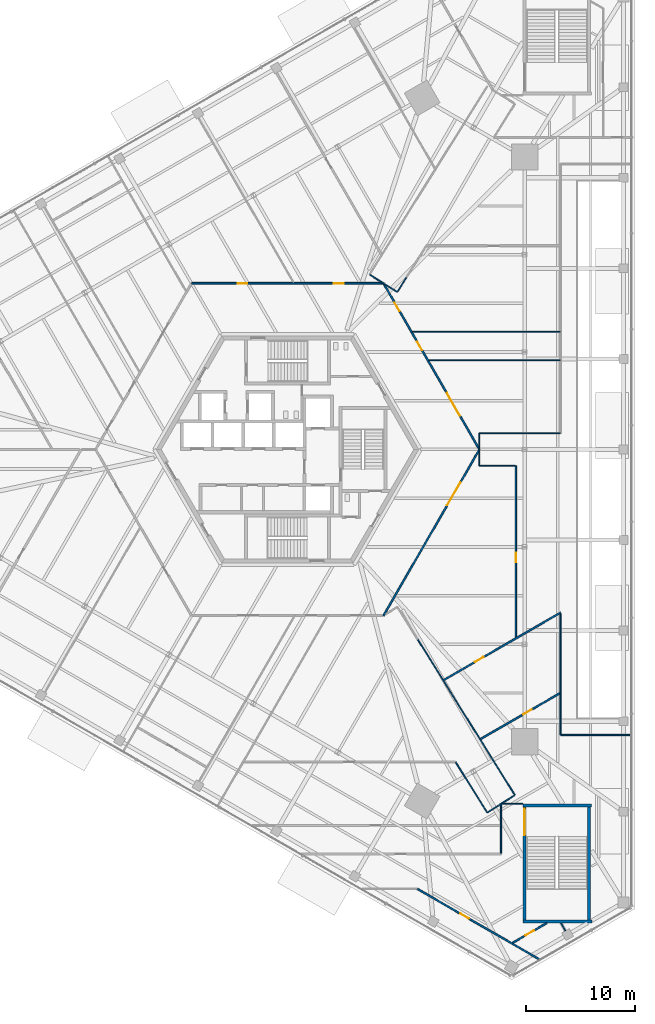
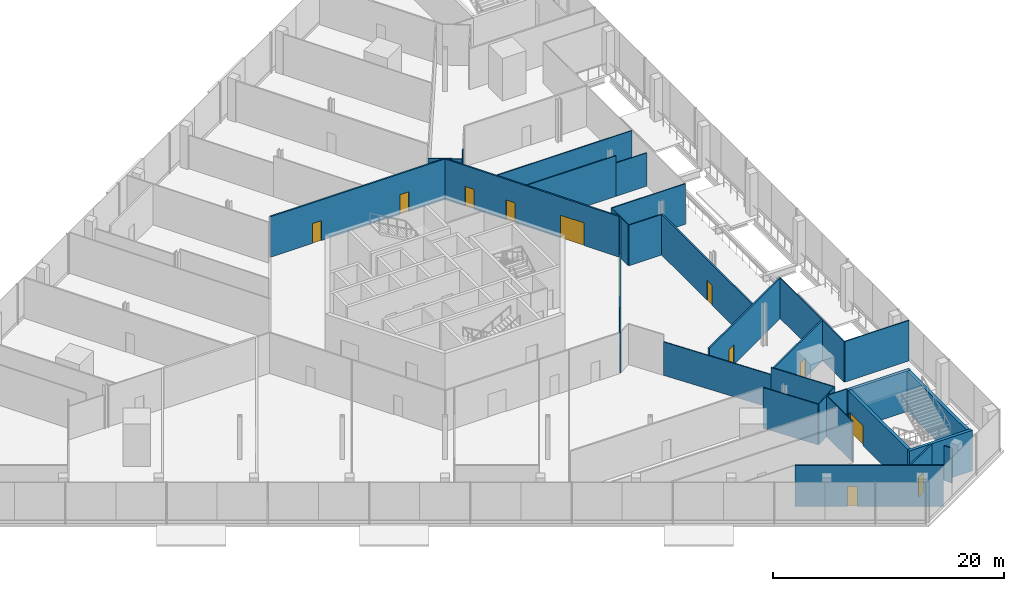
# One storey, part 22 of 27: 29 walls, 12 doors, 12 openings.
"""IFC4 building model written with IfcOpenShell, lengths in metres."""

from ifc_helpers import new_model, si_unit, direction, frame, frame_2d, origin, place, context, subcontext, project, spatial, rectangle, extrude, source, transform, mapped, material, layer, layer_set, type_object, element, fill, save


model = new_model("IFC4")

# Units and contexts
model_context = context("Model", 3, precision=1e-05, world=origin(), true_north=direction((0.0, 1.0)))
body_context = subcontext(model_context, "Body", "Model", "MODEL_VIEW")
ifc_project = project(units=[si_unit("LENGTHUNIT", "METRE"), si_unit("AREAUNIT", "SQUARE_METRE"), si_unit("VOLUMEUNIT", "CUBIC_METRE"), si_unit("PLANEANGLEUNIT", "RADIAN"), si_unit("MASSUNIT", "GRAM", prefix="KILO")], contexts=[model_context])

# Site, building, storey
site_placement = place(None, origin())
site = spatial("IfcSite", under=ifc_project, at=site_placement, CompositionType="ELEMENT")
building_placement = place(site_placement, origin())
building = spatial("IfcBuilding", under=site, at=building_placement, Name="Triune Harvest Tower", CompositionType="ELEMENT")
storey_placement = place(building_placement, frame((0.0, 0.0, 7.0)))
storey = spatial("IfcBuildingStorey", under=building, at=storey_placement, Name="L01", CompositionType="ELEMENT", Elevation=7.0)

# Wall, openings, doors
ifc_material_1 = material(Name="Gypsum board on steel studs", Category="steel")
ifc_layer_1 = layer(ifc_material_1, 0.14990234375)
ifc_layer_set_1 = layer_set([ifc_layer_1], Name="Gypsum board on steel studs")
wall_type_1 = type_object("IfcWallType", Name="Fire Partition 150 mm", PredefinedType="PARTITIONING", material=ifc_layer_set_1)
wall_1_placement = place(storey_placement, frame((8.792236328125, 15.156005859375, 0.0), z_axis=(0.0, 0.0, 1.0), x_axis=(0.499996830835, -0.866027233495, 0.0)))
wall_1 = element("IfcWall", 1, at=wall_1_placement, inside=storey, type_object=wall_type_1, Name="Partition L01 010", PredefinedType="PARTITIONING", context=body_context, shape_type="SweptSolid", body=[
    extrude(rectangle(XDim=17.45849609375, YDim=0.14990234375, at=frame_2d((8.729248046875, 0.0))), origin(), (0.0, 0.0, 1.0), 4.300048828125),
])
opening_1_placement = place(wall_1_placement, frame((11.550537109375, 0.0, 0.0)))
opening_1 = element("IfcOpeningElement", 2, at=opening_1_placement, cuts=wall_1, Name="Opening L01-005", PredefinedType="OPENING", context=body_context, shape_type="SweptSolid", body=[
    extrude(rectangle(XDim=2.39990234375, YDim=2.39990234375, at=frame_2d((1.199951171875, 1.199951171875))), frame((0.0, 0.0849609375, 0.0), z_axis=(0.0, -1.0, 0.0), x_axis=(1.0, 0.0, 0.0)), (0.0, 0.0, 1.0), 0.169921875),
])
opening_2_placement = place(wall_1_placement, frame((2.014404296875, 0.0, 0.0)))
opening_2 = element("IfcOpeningElement", 3, at=opening_2_placement, cuts=wall_1, Name="Opening L01-007", PredefinedType="OPENING", context=body_context, shape_type="SweptSolid", body=[
    extrude(rectangle(XDim=0.89990234375, YDim=2.10009765625, at=frame_2d((0.449951171875, 1.050048828125))), frame((0.0, 0.0849609375, 0.0), z_axis=(0.0, -1.0, 0.0), x_axis=(1.0, 0.0, 0.0)), (0.0, 0.0, 1.0), 0.169921875),
])
opening_3_placement = place(wall_1_placement, frame((6.11669921875, 0.0, 0.0)))
opening_3 = element("IfcOpeningElement", 4, at=opening_3_placement, cuts=wall_1, Name="Opening L01-008", PredefinedType="OPENING", context=body_context, shape_type="SweptSolid", body=[
    extrude(rectangle(XDim=0.89990234375, YDim=2.10009765625, at=frame_2d((0.449951171875, 1.050048828125))), frame((0.0, 0.0849609375, 0.0), z_axis=(0.0, -1.0, 0.0), x_axis=(1.0, 0.0, 0.0)), (0.0, 0.0, 1.0), 0.169921875),
])
ifc_material_2 = material(Name="Steel roller shutter", Category="steel")
door_type_1 = type_object("IfcDoorType", Name="Roller shutter FD30 2400 x 2400", OperationType="ROLLINGUP", PredefinedType="DOOR", material=ifc_material_2)
door_1_placement = place(opening_1_placement, origin())
door_1 = element("IfcDoor", 5, at=door_1_placement, inside=storey, type_object=door_type_1, Name="Door L01-005 Market Stall 01.05", OperationType="ROLLINGUP", OverallHeight=2.39990234375, OverallWidth=2.39990234375, PredefinedType="DOOR", context=body_context, shape_type="SweptSolid", body=[
    extrude(rectangle(XDim=2.39990234375, YDim=2.39990234375, at=frame_2d((1.199951171875, 1.199951171875))), frame((0.0, 0.02490234375, 0.0), z_axis=(0.0, -1.0, 0.0), x_axis=(1.0, 0.0, 0.0)), (0.0, 0.0, 1.0), 0.050048828125),
])
fill(opening_1, door_1)
ifc_material_3 = material(Name="Timber and steel door set", Category="steel")
door_type_2 = type_object("IfcDoorType", Name="Single leaf door FD30 left hand 900 x 2100", OperationType="SINGLE_SWING_LEFT", PredefinedType="DOOR", material=ifc_material_3)
door_2_placement = place(opening_2_placement, origin())
door_2 = element("IfcDoor", 6, at=door_2_placement, inside=storey, type_object=door_type_2, Name="Door L01-007 Dry Store Room 01.07", OperationType="SINGLE_SWING_LEFT", OverallHeight=2.10009765625, OverallWidth=0.89990234375, PredefinedType="DOOR", context=body_context, shape_type="SweptSolid", body=[
    extrude(rectangle(XDim=0.89990234375, YDim=2.10009765625, at=frame_2d((0.449951171875, 1.050048828125))), frame((0.0, 0.02490234375, 0.0), z_axis=(0.0, -1.0, 0.0), x_axis=(1.0, 0.0, 0.0)), (0.0, 0.0, 1.0), 0.050048828125),
])
fill(opening_2, door_2)
door_3_placement = place(opening_3_placement, origin())
door_3 = element("IfcDoor", 7, at=door_3_placement, inside=storey, type_object=door_type_2, Name="Door L01-008 Dry Store Room 01.08", OperationType="SINGLE_SWING_LEFT", OverallHeight=2.10009765625, OverallWidth=0.89990234375, PredefinedType="DOOR", context=body_context, shape_type="SweptSolid", body=[
    extrude(rectangle(XDim=0.89990234375, YDim=2.10009765625, at=frame_2d((0.449951171875, 1.050048828125))), frame((0.0, 0.02490234375, 0.0), z_axis=(0.0, -1.0, 0.0), x_axis=(1.0, 0.0, 0.0)), (0.0, 0.0, 1.0), 0.050048828125),
])
fill(opening_3, door_3)

# Wall, opening, door
wall_2_placement = place(storey_placement, frame((11.86181640625, -40.16650390625, 0.0), z_axis=(0.0, 0.0, 1.0), x_axis=(0.866029720065, -0.499992523908, 0.0)))
wall_2 = element("IfcWall", 8, at=wall_2_placement, inside=storey, type_object=wall_type_1, Name="Partition L01 020", PredefinedType="PARTITIONING", context=body_context, shape_type="SweptSolid", body=[
    extrude(rectangle(XDim=12.885498046875, YDim=0.14990234375, at=frame_2d((6.44287109375, 0.0))), origin(), (0.0, 0.0, 1.0), 4.300048828125),
])
opening_4_placement = place(wall_2_placement, frame((4.5498046875, 0.0, 0.0)))
opening_4 = element("IfcOpeningElement", 9, at=opening_4_placement, cuts=wall_2, Name="Opening L01-036", PredefinedType="OPENING", context=body_context, shape_type="SweptSolid", body=[
    extrude(rectangle(XDim=0.89990234375, YDim=2.10009765625, at=frame_2d((0.449951171875, 1.050048828125))), frame((0.0, 0.0849609375, 0.0), z_axis=(0.0, -1.0, 0.0), x_axis=(1.0, 0.0, 0.0)), (0.0, 0.0, 1.0), 0.169921875),
])
ifc_material_4 = material(Name="Timber and steel door set", Category="steel")
door_type_3 = type_object("IfcDoorType", Name="Single leaf door FD30 right hand 900 x 2100", OperationType="SINGLE_SWING_RIGHT", PredefinedType="DOOR", material=ifc_material_4)
door_4_placement = place(opening_4_placement, origin())
door_4 = element("IfcDoor", 10, at=door_4_placement, inside=storey, type_object=door_type_3, Name="Door L01-036 Dry Store Room 01.37", OperationType="SINGLE_SWING_RIGHT", OverallHeight=2.10009765625, OverallWidth=0.89990234375, PredefinedType="DOOR", context=body_context, shape_type="SweptSolid", body=[
    extrude(rectangle(XDim=0.89990234375, YDim=2.10009765625, at=frame_2d((0.449951171875, 1.050048828125))), frame((0.0, 0.02490234375, 0.0), z_axis=(0.0, -1.0, 0.0), x_axis=(1.0, 0.0, 0.0)), (0.0, 0.0, 1.0), 0.050048828125),
])
fill(opening_4, door_4)

# Wall, openings, doors
wall_3_placement = place(storey_placement, frame((-8.771240234375, 15.1923828125, 0.0), z_axis=(0.0, 0.0, 1.0), x_axis=(1.0, 0.0, 0.0)))
wall_3 = element("IfcWall", 11, at=wall_3_placement, inside=storey, type_object=wall_type_1, Name="Partition L01 038", PredefinedType="PARTITIONING", context=body_context, shape_type="SweptSolid", body=[
    extrude(rectangle(XDim=17.540771484375, YDim=0.14990234375, at=frame_2d((8.7705078125, 0.0))), origin(), (0.0, 0.0, 1.0), 4.300048828125),
])
opening_5_placement = place(wall_3_placement, frame((4.21240234375, 0.0, 0.0)))
opening_5 = element("IfcOpeningElement", 12, at=opening_5_placement, cuts=wall_3, Name="Opening L01-015", PredefinedType="OPENING", context=body_context, shape_type="SweptSolid", body=[
    extrude(rectangle(XDim=0.89990234375, YDim=2.10009765625, at=frame_2d((0.449951171875, 1.050048828125))), frame((0.0, 0.0849609375, 0.0), z_axis=(0.0, -1.0, 0.0), x_axis=(1.0, 0.0, 0.0)), (0.0, 0.0, 1.0), 0.169921875),
])
opening_6_placement = place(wall_3_placement, frame((12.99267578125, 0.0, 0.0)))
opening_6 = element("IfcOpeningElement", 13, at=opening_6_placement, cuts=wall_3, Name="Opening L01-016", PredefinedType="OPENING", context=body_context, shape_type="SweptSolid", body=[
    extrude(rectangle(XDim=0.89990234375, YDim=2.10009765625, at=frame_2d((0.449951171875, 1.050048828125))), frame((0.0, 0.0849609375, 0.0), z_axis=(0.0, -1.0, 0.0), x_axis=(1.0, 0.0, 0.0)), (0.0, 0.0, 1.0), 0.169921875),
])
door_5_placement = place(opening_5_placement, origin())
door_5 = element("IfcDoor", 14, at=door_5_placement, inside=storey, type_object=door_type_2, Name="Door L01-015 Dry Store Room 01.16", OperationType="SINGLE_SWING_LEFT", OverallHeight=2.10009765625, OverallWidth=0.89990234375, PredefinedType="DOOR", context=body_context, shape_type="SweptSolid", body=[
    extrude(rectangle(XDim=0.89990234375, YDim=2.10009765625, at=frame_2d((0.449951171875, 1.050048828125))), frame((0.0, 0.02490234375, 0.0), z_axis=(0.0, -1.0, 0.0), x_axis=(1.0, 0.0, 0.0)), (0.0, 0.0, 1.0), 0.050048828125),
])
fill(opening_5, door_5)
door_6_placement = place(opening_6_placement, origin())
door_6 = element("IfcDoor", 15, at=door_6_placement, inside=storey, type_object=door_type_3, Name="Door L01-016 Dry Store Room 01.17", OperationType="SINGLE_SWING_RIGHT", OverallHeight=2.10009765625, OverallWidth=0.89990234375, PredefinedType="DOOR", context=body_context, shape_type="SweptSolid", body=[
    extrude(rectangle(XDim=0.89990234375, YDim=2.10009765625, at=frame_2d((0.449951171875, 1.050048828125))), frame((0.0, 0.02490234375, 0.0), z_axis=(0.0, -1.0, 0.0), x_axis=(1.0, 0.0, 0.0)), (0.0, 0.0, 1.0), 0.050048828125),
])
fill(opening_6, door_6)

# Wall, opening, door
wall_4_placement = place(storey_placement, frame((20.591064453125, -45.096435546875, 0.0), z_axis=(0.0, 0.0, 1.0), x_axis=(0.866035089317, 0.49998322379, 0.0)))
wall_4 = element("IfcWall", 16, at=wall_4_placement, inside=storey, type_object=wall_type_1, Name="Partition L01 043", PredefinedType="PARTITIONING", context=body_context, shape_type="SweptSolid", body=[
    extrude(rectangle(XDim=3.5927734375, YDim=0.14990234375, at=frame_2d((1.79638671875, 0.0))), origin(), (0.0, 0.0, 1.0), 4.300048828125),
])
opening_7_placement = place(wall_4_placement, frame((1.340087890625, 0.0, 0.0)))
opening_7 = element("IfcOpeningElement", 17, at=opening_7_placement, cuts=wall_4, Name="Opening L01-037", PredefinedType="OPENING", context=body_context, shape_type="SweptSolid", body=[
    extrude(rectangle(XDim=0.89990234375, YDim=2.10009765625, at=frame_2d((0.449951171875, 1.050048828125))), frame((0.0, 0.0849609375, 0.0), z_axis=(0.0, -1.0, 0.0), x_axis=(1.0, 0.0, 0.0)), (0.0, 0.0, 1.0), 0.169921875),
])
door_7_placement = place(opening_7_placement, origin())
door_7 = element("IfcDoor", 18, at=door_7_placement, inside=storey, type_object=door_type_2, Name="Door L01-037 Dry Store Room 01.38", OperationType="SINGLE_SWING_LEFT", OverallHeight=2.10009765625, OverallWidth=0.89990234375, PredefinedType="DOOR", context=body_context, shape_type="SweptSolid", body=[
    extrude(rectangle(XDim=0.89990234375, YDim=2.10009765625, at=frame_2d((0.449951171875, 1.050048828125))), frame((0.0, 0.02490234375, 0.0), z_axis=(0.0, -1.0, 0.0), x_axis=(1.0, 0.0, 0.0)), (0.0, 0.0, 1.0), 0.050048828125),
])
fill(opening_7, door_7)

wall_5_placement = place(storey_placement, frame((17.628173828125, -26.4833984375, 0.0), z_axis=(0.0, 0.0, 1.0), x_axis=(0.866027414801, 0.499996516801, 0.0)))
wall_5 = element("IfcWall", 19, at=wall_5_placement, inside=storey, type_object=wall_type_1, Name="Partition L01 044", PredefinedType="PARTITIONING", context=body_context, shape_type="SweptSolid", body=[
    extrude(rectangle(XDim=8.37939453125, YDim=0.14990234375, at=frame_2d((4.189697265625, 0.0))), origin(), (0.0, 0.0, 1.0), 4.300048828125),
])
opening_8_placement = place(wall_5_placement, frame((4.52001953125, 0.0, 0.0)))
opening_8 = element("IfcOpeningElement", 20, at=opening_8_placement, cuts=wall_5, Name="Opening L01-004", PredefinedType="OPENING", context=body_context, shape_type="SweptSolid", body=[
    extrude(rectangle(XDim=0.89990234375, YDim=2.10009765625, at=frame_2d((0.449951171875, 1.050048828125))), frame((0.0, 0.0849609375, 0.0), z_axis=(0.0, -1.0, 0.0), x_axis=(1.0, 0.0, 0.0)), (0.0, 0.0, 1.0), 0.169921875),
])
door_8_placement = place(opening_8_placement, origin())
door_8 = element("IfcDoor", 21, at=door_8_placement, inside=storey, type_object=door_type_2, Name="Door L01-004 Dry Store Room 01.04", OperationType="SINGLE_SWING_LEFT", OverallHeight=2.10009765625, OverallWidth=0.89990234375, PredefinedType="DOOR", context=body_context, shape_type="SweptSolid", body=[
    extrude(rectangle(XDim=0.89990234375, YDim=2.10009765625, at=frame_2d((0.449951171875, 1.050048828125))), frame((0.0, 0.02490234375, 0.0), z_axis=(0.0, -1.0, 0.0), x_axis=(1.0, 0.0, 0.0)), (0.0, 0.0, 1.0), 0.050048828125),
])
fill(opening_8, door_8)

wall_6_placement = place(storey_placement, frame((14.260009765625, -21.091552734375, 0.0), z_axis=(0.0, 0.0, 1.0), x_axis=(0.866027554198, 0.499996275356, 0.0)))
wall_6 = element("IfcWall", 22, at=wall_6_placement, inside=storey, type_object=wall_type_1, Name="Partition L01 045", PredefinedType="PARTITIONING", context=body_context, shape_type="SweptSolid", body=[
    extrude(rectangle(XDim=12.3486328125, YDim=0.14990234375, at=frame_2d((6.17431640625, 0.0))), origin(), (0.0, 0.0, 1.0), 4.300048828125),
])
opening_9_placement = place(wall_6_placement, frame((3.320068359375, 0.0, 0.0)))
opening_9 = element("IfcOpeningElement", 23, at=opening_9_placement, cuts=wall_6, Name="Opening L01-002", PredefinedType="OPENING", context=body_context, shape_type="SweptSolid", body=[
    extrude(rectangle(XDim=0.89990234375, YDim=2.10009765625, at=frame_2d((0.449951171875, 1.050048828125))), frame((0.0, 0.0849609375, 0.0), z_axis=(0.0, -1.0, 0.0), x_axis=(1.0, 0.0, 0.0)), (0.0, 0.0, 1.0), 0.169921875),
])
door_9_placement = place(opening_9_placement, origin())
door_9 = element("IfcDoor", 24, at=door_9_placement, inside=storey, type_object=door_type_3, Name="Door L01-002 Dry Store Room 01.02", OperationType="SINGLE_SWING_RIGHT", OverallHeight=2.10009765625, OverallWidth=0.89990234375, PredefinedType="DOOR", context=body_context, shape_type="SweptSolid", body=[
    extrude(rectangle(XDim=0.89990234375, YDim=2.10009765625, at=frame_2d((0.449951171875, 1.050048828125))), frame((0.0, 0.02490234375, 0.0), z_axis=(0.0, -1.0, 0.0), x_axis=(1.0, 0.0, 0.0)), (0.0, 0.0, 1.0), 0.050048828125),
])
fill(opening_9, door_9)

wall_7_placement = place(storey_placement, frame((8.772216796875, -15.190673828125, 0.0), z_axis=(0.0, 0.0, 1.0), x_axis=(0.499997184852, 0.866027029105, 0.0)))
wall_7 = element("IfcWall", 25, at=wall_7_placement, inside=storey, type_object=wall_type_1, Name="Partition L01 053", PredefinedType="PARTITIONING", context=body_context, shape_type="SweptSolid", body=[
    extrude(rectangle(XDim=17.53857421875, YDim=0.14990234375, at=frame_2d((8.769287109375, 0.0))), origin(), (0.0, 0.0, 1.0), 4.300048828125),
])
opening_10_placement = place(wall_7_placement, frame((11.65673828125, 0.0, 0.0)))
opening_10 = element("IfcOpeningElement", 26, at=opening_10_placement, cuts=wall_7, Name="Opening L01-001", PredefinedType="OPENING", context=body_context, shape_type="SweptSolid", body=[
    extrude(rectangle(XDim=2.39990234375, YDim=2.39990234375, at=frame_2d((1.199951171875, 1.199951171875))), frame((0.0, 0.0849609375, 0.0), z_axis=(0.0, -1.0, 0.0), x_axis=(1.0, 0.0, 0.0)), (0.0, 0.0, 1.0), 0.169921875),
])
door_10_placement = place(opening_10_placement, origin())
door_10 = element("IfcDoor", 27, at=door_10_placement, inside=storey, type_object=door_type_1, Name="Door L01-001 Market Stall 01.01", OperationType="ROLLINGUP", OverallHeight=2.39990234375, OverallWidth=2.39990234375, PredefinedType="DOOR", context=body_context, shape_type="SweptSolid", body=[
    extrude(rectangle(XDim=2.39990234375, YDim=2.39990234375, at=frame_2d((1.199951171875, 1.199951171875))), frame((0.0, 0.02490234375, 0.0), z_axis=(0.0, -1.0, 0.0), x_axis=(1.0, 0.0, 0.0)), (0.0, 0.0, 1.0), 0.050048828125),
])
fill(opening_10, door_10)

wall_8_placement = place(storey_placement, frame((20.876220703125, -17.271484375, 0.0), z_axis=(0.0, 0.0, 1.0), x_axis=(0.0, 1.0, 0.0)))
wall_8 = element("IfcWall", 28, at=wall_8_placement, inside=storey, type_object=wall_type_1, Name="Partition L01 066", PredefinedType="PARTITIONING", context=body_context, shape_type="SweptSolid", body=[
    extrude(rectangle(XDim=15.771484375, YDim=0.14990234375, at=frame_2d((7.8857421875, 0.0))), origin(), (0.0, 0.0, 1.0), 4.300048828125),
])
opening_11_placement = place(wall_8_placement, frame((6.949951171875, 0.0, 0.0)))
opening_11 = element("IfcOpeningElement", 29, at=opening_11_placement, cuts=wall_8, Name="Opening L01-003", PredefinedType="OPENING", context=body_context, shape_type="SweptSolid", body=[
    extrude(rectangle(XDim=0.89990234375, YDim=2.10009765625, at=frame_2d((0.449951171875, 1.050048828125))), frame((0.0, 0.0849609375, 0.0), z_axis=(0.0, -1.0, 0.0), x_axis=(1.0, 0.0, 0.0)), (0.0, 0.0, 1.0), 0.169921875),
])
door_11_placement = place(opening_11_placement, origin())
door_11 = element("IfcDoor", 30, at=door_11_placement, inside=storey, type_object=door_type_3, Name="Door L01-003 Dry Store Room 01.03", OperationType="SINGLE_SWING_RIGHT", OverallHeight=2.10009765625, OverallWidth=0.89990234375, PredefinedType="DOOR", context=body_context, shape_type="SweptSolid", body=[
    extrude(rectangle(XDim=0.89990234375, YDim=2.10009765625, at=frame_2d((0.449951171875, 1.050048828125))), frame((0.0, 0.02490234375, 0.0), z_axis=(0.0, -1.0, 0.0), x_axis=(1.0, 0.0, 0.0)), (0.0, 0.0, 1.0), 0.050048828125),
])
fill(opening_11, door_11)

# Walls
ifc_material_5 = material(Name="Gypsum board on steel studs", Category="steel")
ifc_layer_2 = layer(ifc_material_5, 0.10009765625)
ifc_layer_set_2 = layer_set([ifc_layer_2], Name="Gypsum board on steel studs")
wall_type_2 = type_object("IfcWallType", Name="Partition 100 mm", PredefinedType="PARTITIONING", material=ifc_layer_set_2)
wall_9_placement = place(storey_placement, frame((15.375244140625, -28.595703125, 0.0), z_axis=(0.0, 0.0, 1.0), x_axis=(0.529768228728, -0.848142454916, 0.0)))
element("IfcWall", 31, at=wall_9_placement, inside=storey, type_object=wall_type_2, Name="Partition L01 014", PredefinedType="PARTITIONING", context=body_context, shape_type="SweptSolid", body=[
    extrude(rectangle(XDim=5.42236328125, YDim=0.10009765625, at=frame_2d((2.711181640625, 0.0))), origin(), (0.0, 0.0, 1.0), 4.300048828125),
])
wall_10_placement = place(storey_placement, frame((11.88671875, -17.3486328125, 0.0), z_axis=(0.0, 0.0, 1.0), x_axis=(0.529793111174, -0.848126912291, 0.0)))
element("IfcWall", 32, at=wall_10_placement, inside=storey, type_object=wall_type_2, Name="Partition L01 015a", PredefinedType="PARTITIONING", context=body_context, shape_type="SweptSolid", body=[
    extrude(rectangle(XDim=10.55615234375, YDim=0.10009765625, at=frame_2d((5.278076171875, 0.0))), origin(), (0.0, 0.0, 1.0), 3.54296875),
])
wall_11_placement = place(storey_placement, frame((17.479248046875, -26.301513671875, 0.0), z_axis=(0.0, 0.0, 1.0), x_axis=(0.52978836467, -0.848129877236, 0.0)))
element("IfcWall", 33, at=wall_11_placement, inside=storey, type_object=wall_type_2, Name="Partition L01 015b", PredefinedType="PARTITIONING", context=body_context, shape_type="SweptSolid", body=[
    extrude(rectangle(XDim=6.25341796875, YDim=0.10009765625, at=frame_2d((3.126708984375, 0.0))), origin(), (0.0, 0.0, 1.0), 4.300048828125),
])
wall_12_placement = place(storey_placement, frame((7.5244140625, 15.97119140625, 0.0), z_axis=(0.0, 0.0, 1.0), x_axis=(0.848138224162, -0.529775001973, 0.0)))
element("IfcWall", 34, at=wall_12_placement, inside=storey, type_object=wall_type_2, Name="Partition L01 016", PredefinedType="PARTITIONING", context=body_context, shape_type="SweptSolid", body=[
    extrude(rectangle(XDim=2.940185546875, YDim=0.10009765625, at=frame_2d((1.47021484375, 0.0))), origin(), (0.0, 0.0, 1.0), 4.300048828125),
])
wall_13_placement = place(storey_placement, frame((17.54248046875, -1.5, 0.0), z_axis=(0.0, 0.0, 1.0), x_axis=(1.0, 0.0, 0.0)))
element("IfcWall", 35, at=wall_13_placement, inside=storey, type_object=wall_type_2, Name="Partition L01 030", PredefinedType="PARTITIONING", context=body_context, shape_type="SweptSolid", body=[
    extrude(rectangle(XDim=3.283935546875, YDim=0.10009765625, at=frame_2d((1.64208984375, 0.0))), origin(), (0.0, 0.0, 1.0), 4.300048828125),
])
wall_14_placement = place(storey_placement, frame((17.54248046875, 1.5, 0.0), z_axis=(0.0, 0.0, 1.0), x_axis=(1.0, 0.0, 0.0)))
element("IfcWall", 36, at=wall_14_placement, inside=storey, type_object=wall_type_2, Name="Partition L01 035", PredefinedType="PARTITIONING", context=body_context, shape_type="SweptSolid", body=[
    extrude(rectangle(XDim=7.3818359375, YDim=0.10009765625, at=frame_2d((3.69091796875, 0.0))), origin(), (0.0, 0.0, 1.0), 4.300048828125),
])
wall_15_placement = place(storey_placement, frame((21.83447265625, 8.169921875, 0.0), z_axis=(0.0, 0.0, 1.0), x_axis=(1.0, 0.0, 0.0)))
element("IfcWall", 37, at=wall_15_placement, inside=storey, type_object=wall_type_2, Name="Partition L01 036a", PredefinedType="PARTITIONING", context=body_context, shape_type="SweptSolid", body=[
    extrude(rectangle(XDim=3.08984375, YDim=0.10009765625, at=frame_2d((1.544921875, 0.0))), origin(), (0.0, 0.0, 1.0), 3.52783203125),
])
wall_16_placement = place(storey_placement, frame((11.41455078125, 10.77001953125, 0.0), z_axis=(0.0, 0.0, 1.0), x_axis=(1.0, 0.0, 0.0)))
element("IfcWall", 38, at=wall_16_placement, inside=storey, type_object=wall_type_2, Name="Partition L01 037", PredefinedType="PARTITIONING", context=body_context, shape_type="SweptSolid", body=[
    extrude(rectangle(XDim=13.509765625, YDim=0.10009765625, at=frame_2d((6.7548828125, 0.0))), origin(), (0.0, 0.0, 1.0), 4.300048828125),
])
wall_17_placement = place(storey_placement, frame((18.27197265625, -33.1796875, 0.0), z_axis=(0.0, 0.0, 1.0), x_axis=(0.848119521421, 0.529804942771, 0.0)))
element("IfcWall", 39, at=wall_17_placement, inside=storey, type_object=wall_type_2, Name="Partition L01 048", PredefinedType="PARTITIONING", context=body_context, shape_type="SweptSolid", body=[
    extrude(rectangle(XDim=2.94140625, YDim=0.10009765625, at=frame_2d((1.470703125, 0.0))), origin(), (0.0, 0.0, 1.0), 4.300048828125),
])
wall_18_placement = place(storey_placement, frame((10.04345703125, 14.397705078125, 0.0), z_axis=(0.0, 0.0, 1.0), x_axis=(0.529829394742, 0.848104246226, 0.0)))
element("IfcWall", 40, at=wall_18_placement, inside=storey, type_object=wall_type_2, Name="Partition L01 050", PredefinedType="PARTITIONING", context=body_context, shape_type="SweptSolid", body=[
    extrude(rectangle(XDim=1.55322265625, YDim=0.10009765625, at=frame_2d((0.776611328125, 0.0))), origin(), (0.0, 0.0, 1.0), 4.300048828125),
])
wall_19_placement = place(storey_placement, frame((24.954345703125, -26.10009765625, 0.0), z_axis=(0.0, 0.0, 1.0), x_axis=(0.0, 1.0, 0.0)))
element("IfcWall", 41, at=wall_19_placement, inside=storey, type_object=wall_type_2, Name="Partition L01 064", PredefinedType="PARTITIONING", context=body_context, shape_type="SweptSolid", body=[
    extrude(rectangle(XDim=11.093017578125, YDim=0.10009765625, at=frame_2d((5.54638671875, 0.0))), origin(), (0.0, 0.0, 1.0), 4.300048828125),
])
wall_20_placement = place(storey_placement, frame((19.52001953125, -36.919189453125, 0.0), z_axis=(0.0, 0.0, 1.0), x_axis=(0.0, 1.0, 0.0)))
element("IfcWall", 42, at=wall_20_placement, inside=storey, type_object=wall_type_2, Name="Partition L01 067", PredefinedType="PARTITIONING", context=body_context, shape_type="SweptSolid", body=[
    extrude(rectangle(XDim=4.519287109375, YDim=0.10009765625, at=frame_2d((2.259765625, 0.0))), origin(), (0.0, 0.0, 1.0), 4.300048828125),
])
wall_21_placement = place(storey_placement, frame((17.54248046875, -1.469970703125, 0.0), z_axis=(0.0, 0.0, 1.0), x_axis=(0.0, 1.0, 0.0)))
element("IfcWall", 43, at=wall_21_placement, inside=storey, type_object=wall_type_2, Name="Partition L01 068", PredefinedType="PARTITIONING", context=body_context, shape_type="SweptSolid", body=[
    extrude(rectangle(XDim=2.93994140625, YDim=0.10009765625, at=frame_2d((1.469970703125, 0.0))), origin(), (0.0, 0.0, 1.0), 4.300048828125),
])

# Wall, opening, door
ifc_material_6 = material(Name="Concrete 70 MPa", Category="concrete")
ifc_layer_3 = layer(ifc_material_6, 0.300048828125)
ifc_layer_set_3 = layer_set([ifc_layer_3], Name="Concrete 70 MPa")
wall_type_3 = type_object("IfcWallType", Name="Core wall 300", PredefinedType="SHEAR", material=ifc_layer_set_3)
shared_shape_1 = source(origin(), body_context, "Body", "SweptSolid", [
    extrude(rectangle(XDim=10.300048828125, YDim=0.300048828125, at=frame_2d((5.14990234375, 0.0))), origin(), (0.0, 0.0, 1.0), 4.300048828125),
])
wall_22_placement = place(storey_placement, frame((21.669921875, -43.0, 0.0), z_axis=(0.0, 0.0, 1.0), x_axis=(0.0, 1.0, 0.0)))
wall_22 = element("IfcWall", 44, at=wall_22_placement, inside=storey, type_object=wall_type_3, Name="Podium stair ps 2 west wall", PredefinedType="SHEAR", context=body_context, shape_type="MappedRepresentation", body=[
    mapped(shared_shape_1, transform((0.0, 0.0, 0.0), scale=1.0)),
])
opening_12_placement = place(wall_22_placement, frame((7.75, 0.0, 0.0)))
opening_12 = element("IfcOpeningElement", 45, at=opening_12_placement, cuts=wall_22, Name="Opening PS-2-01A", PredefinedType="OPENING", context=body_context, shape_type="SweptSolid", body=[
    extrude(rectangle(XDim=2.39990234375, YDim=2.10009765625, at=frame_2d((1.199951171875, 1.050048828125))), frame((0.0, 0.16015625, 0.0), z_axis=(0.0, -1.0, 0.0), x_axis=(1.0, 0.0, 0.0)), (0.0, 0.0, 1.0), 0.320068359375),
])
ifc_material_7 = material(Name="Steel S235", Category="steel")
door_type_4 = type_object("IfcDoorType", Name="Stair door 2400 FD120", OperationType="DOUBLE_DOOR_DOUBLE_SWING", PredefinedType="DOOR", material=ifc_material_7)
door_12_placement = place(opening_12_placement, origin())
door_12 = element("IfcDoor", 46, at=door_12_placement, inside=storey, type_object=door_type_4, Name="Door PS-2-01A", OperationType="DOUBLE_DOOR_DOUBLE_SWING", OverallHeight=2.10009765625, OverallWidth=2.39990234375, PredefinedType="DOOR", context=body_context, shape_type="SweptSolid", body=[
    extrude(rectangle(XDim=2.39990234375, YDim=2.10009765625, at=frame_2d((1.199951171875, 1.050048828125))), frame((0.0, 0.02490234375, 0.0), z_axis=(0.0, -1.0, 0.0), x_axis=(1.0, 0.0, 0.0)), (0.0, 0.0, 1.0), 0.050048828125),
])
fill(opening_12, door_12)

# Walls
wall_23_placement = place(storey_placement, frame((27.570068359375, -43.0, 0.0), z_axis=(0.0, 0.0, 1.0), x_axis=(0.0, 1.0, 0.0)))
element("IfcWall", 47, at=wall_23_placement, inside=storey, type_object=wall_type_3, Name="Podium stair ps 2 east wall", PredefinedType="SHEAR", context=body_context, shape_type="MappedRepresentation", body=[
    mapped(shared_shape_1, transform((0.0, 0.0, 0.0), scale=1.0)),
])
shared_shape_2 = source(origin(), body_context, "Body", "SweptSolid", [
    extrude(rectangle(XDim=6.260009765625, YDim=0.300048828125, at=frame_2d((3.1298828125, 0.0))), origin(), (0.0, 0.0, 1.0), 4.300048828125),
])
wall_24_placement = place(storey_placement, frame((21.52001953125, -32.550048828125, 0.0), z_axis=(0.0, 0.0, 1.0), x_axis=(1.0, 0.0, 0.0)))
element("IfcWall", 48, at=wall_24_placement, inside=storey, type_object=wall_type_3, Name="Podium stair ps 2 north wall", PredefinedType="SHEAR", context=body_context, shape_type="MappedRepresentation", body=[
    mapped(shared_shape_2, transform((0.0, 0.0, 0.0), scale=1.0)),
])
shared_shape_3 = source(origin(), body_context, "Body", "SweptSolid", [
    extrude(rectangle(XDim=6.31005859375, YDim=0.300048828125, at=frame_2d((3.155029296875, 0.0))), origin(), (0.0, 0.0, 1.0), 4.300048828125),
])
wall_25_placement = place(storey_placement, frame((21.52001953125, -43.14990234375, 0.0), z_axis=(0.0, 0.0, 1.0), x_axis=(1.0, 0.0, 0.0)))
element("IfcWall", 49, at=wall_25_placement, inside=storey, type_object=wall_type_3, Name="Podium stair ps 2 south wall", PredefinedType="SHEAR", context=body_context, shape_type="MappedRepresentation", body=[
    mapped(shared_shape_3, transform((0.0, 0.0, 0.0), scale=1.0)),
])
shared_shape_4 = source(origin(), body_context, "Body", "SweptSolid", [
    extrude(rectangle(XDim=8.9189453125, YDim=0.10009765625, at=frame_2d((4.45947265625, 0.0))), origin(), (0.0, 0.0, 1.0), 4.300048828125),
])
wall_26_placement = place(storey_placement, frame((12.91552734375, 8.169921875, 0.0), z_axis=(0.0, 0.0, 1.0), x_axis=(1.0, 0.0, 0.0)))
element("IfcWall", 50, at=wall_26_placement, inside=storey, type_object=wall_type_2, Name="Partition L01 036", PredefinedType="PARTITIONING", context=body_context, shape_type="MappedRepresentation", body=[
    mapped(shared_shape_4, transform((0.0, 0.0, 0.0), scale=1.0)),
])
shared_shape_5 = source(origin(), body_context, "Body", "SweptSolid", [
    extrude(rectangle(XDim=0.822265625, YDim=0.10009765625, at=frame_2d((0.4111328125, 0.0))), origin(), (0.0, 0.0, 1.0), 3.687744140625),
])
wall_27_placement = place(storey_placement, frame((24.999267578125, -43.300048828125, 0.0), z_axis=(0.0, 0.0, 1.0), x_axis=(0.499970888758, -0.866042210515, 0.0)))
element("IfcWall", 51, at=wall_27_placement, inside=storey, type_object=wall_type_2, Name="Partition L01 008", PredefinedType="PARTITIONING", context=body_context, shape_type="MappedRepresentation", body=[
    mapped(shared_shape_5, transform((0.0, 0.0, 0.0), scale=1.0)),
])
shared_shape_6 = source(origin(), body_context, "Body", "SweptSolid", [
    extrude(rectangle(XDim=1.8701171875, YDim=0.10009765625, at=frame_2d((0.93505859375, 0.0))), origin(), (0.0, 0.0, 1.0), 4.300048828125),
])
wall_28_placement = place(storey_placement, frame((19.64990234375, -32.39990234375, 0.0), z_axis=(0.0, 0.0, 1.0), x_axis=(1.0, 0.0, 0.0)))
element("IfcWall", 52, at=wall_28_placement, inside=storey, type_object=wall_type_2, Name="Partition L01 026", PredefinedType="PARTITIONING", context=body_context, shape_type="MappedRepresentation", body=[
    mapped(shared_shape_6, transform((0.0, 0.0, 0.0), scale=1.0)),
])
shared_shape_7 = source(origin(), body_context, "Body", "SweptSolid", [
    extrude(rectangle(XDim=6.39501953125, YDim=0.10009765625, at=frame_2d((3.197509765625, 0.0))), origin(), (0.0, 0.0, 1.0), 4.300048828125),
])
wall_29_placement = place(storey_placement, frame((24.984375, -26.10009765625, 0.0), z_axis=(0.0, 0.0, 1.0), x_axis=(1.0, 0.0, 0.0)))
element("IfcWall", 53, at=wall_29_placement, inside=storey, type_object=wall_type_2, Name="Partition L01 028", PredefinedType="PARTITIONING", context=body_context, shape_type="MappedRepresentation", body=[
    mapped(shared_shape_7, transform((0.0, 0.0, 0.0), scale=1.0)),
])

save(model, "model.ifc")
